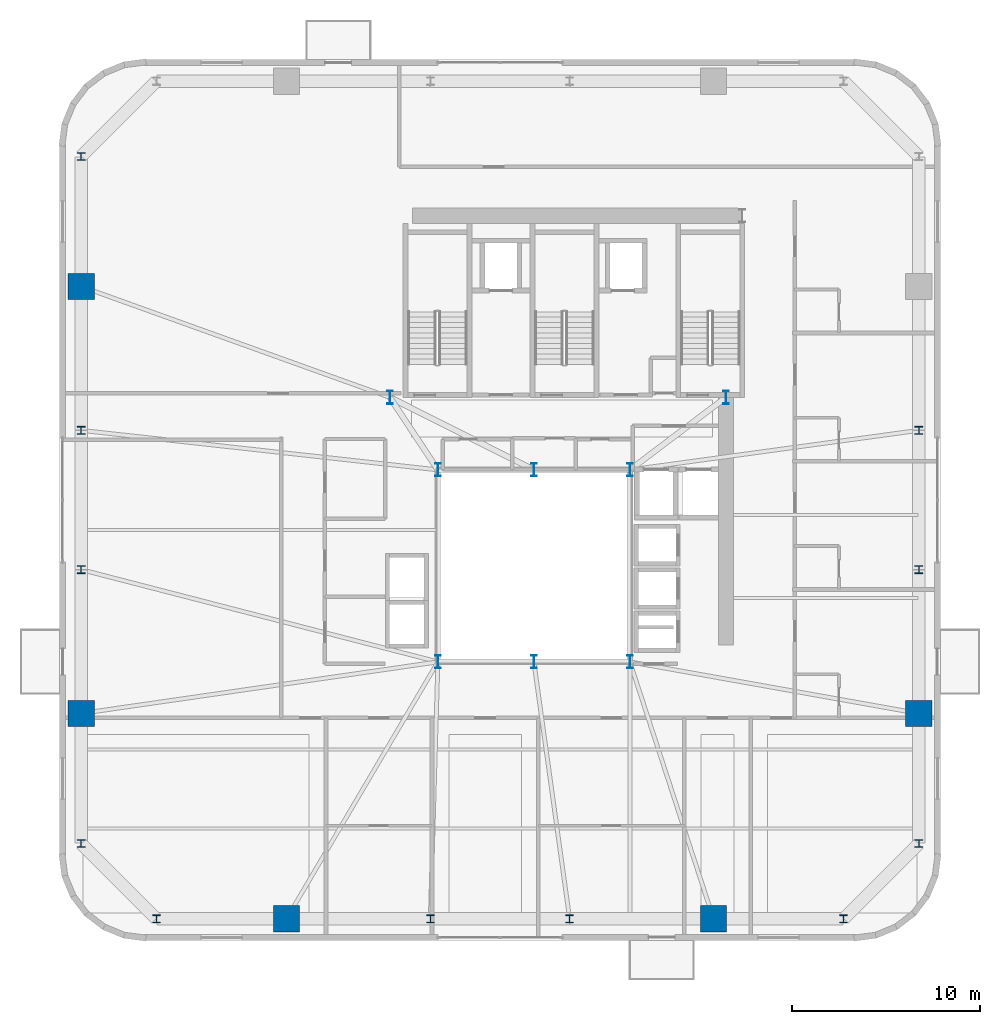
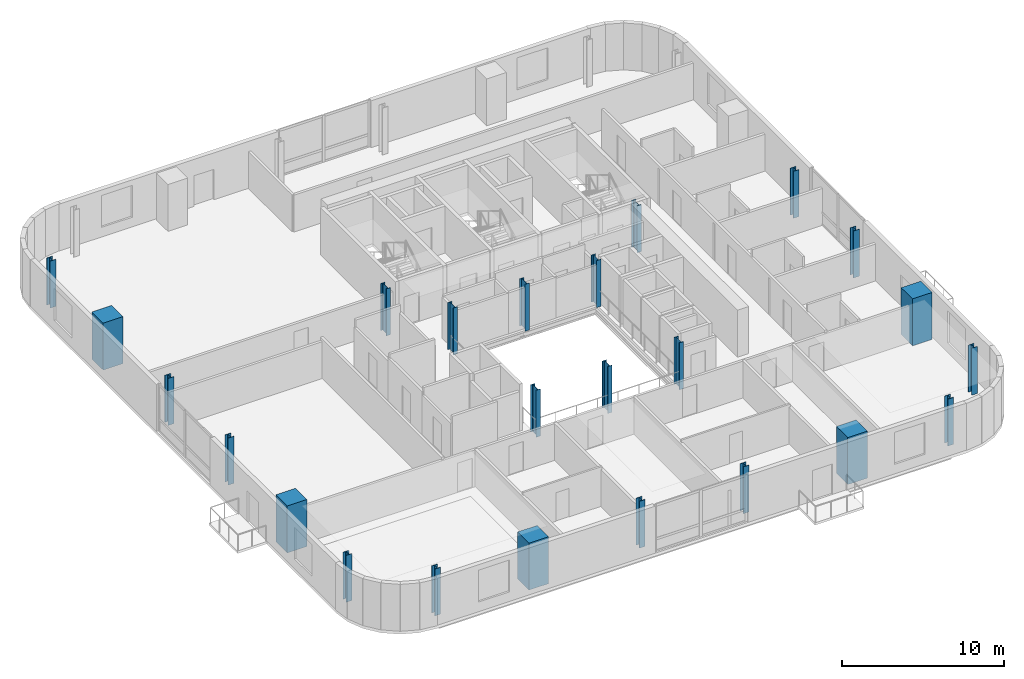
# One storey, part 1 of 15: 24 columns.
"""IFC4 building model written with IfcOpenShell, lengths in metres."""

from ifc_helpers import new_model, si_unit, direction, frame, origin, origin_2d, place, context, subcontext, project, spatial, rectangle, i_section, extrude, source, transform, mapped, material, material_profile, profile_set, type_object, element, save


model = new_model("IFC4")

# Units and contexts
model_context = context("Model", 3, precision=1e-05, world=origin(), true_north=direction((0.0, 1.0)))
body_context = subcontext(model_context, "Body", "Model", "MODEL_VIEW")
ifc_project = project(units=[si_unit("LENGTHUNIT", "METRE"), si_unit("AREAUNIT", "SQUARE_METRE"), si_unit("VOLUMEUNIT", "CUBIC_METRE"), si_unit("PLANEANGLEUNIT", "RADIAN"), si_unit("MASSUNIT", "GRAM", prefix="KILO")], contexts=[model_context])

# Site, building, storey
site_placement = place(None, origin())
site = spatial("IfcSite", under=ifc_project, at=site_placement, CompositionType="ELEMENT")
building_placement = place(site_placement, origin())
building = spatial("IfcBuilding", under=site, at=building_placement, Name="Vardaveli Station Tower", CompositionType="ELEMENT")
storey_placement = place(building_placement, frame((0.0, 0.0, 229.800048828125)))
storey = spatial("IfcBuildingStorey", under=building, at=storey_placement, Name="L59", CompositionType="ELEMENT", Elevation=229.800048828125)

# Columns
ifc_material_1 = material(Name="Structural steel S460M", Category="steel")
ifc_material_profile_1 = material_profile(ifc_material_1, i_section(OverallWidth=0.300048828125, OverallDepth=0.699951171875, WebThickness=0.01708984375, FlangeThickness=0.031982421875, FilletRadius=0.027099609375, at=origin_2d()), Name="HEB 700")
ifc_profile_set_1 = profile_set([ifc_material_profile_1], Name="Structural steel S460M")
column_type_1 = type_object("IfcColumnType", Name="COL-HEB700", PredefinedType="COLUMN", material=ifc_profile_set_1)
shared_shape_1 = source(origin(), body_context, "Body", "SweptSolid", [
    extrude(i_section(OverallWidth=0.300048828125, OverallDepth=0.699951171875, WebThickness=0.01708984375, FlangeThickness=0.031982421875, FilletRadius=0.027099609375, at=origin_2d()), origin(), (0.0, 0.0, 1.0), 3.530029296875),
])
for number, where, z_axis, x_axis, name in (
    (1, (31.199951171875, 16.60009765625, 0.0), (0.0, 0.0, 1.0), (1.0, 0.0, 0.0), "COL-L59-AC1"),
    (2, (36.300048828125, 16.60009765625, 0.0), (0.0, 0.0, 1.0), (1.0, 0.0, 0.0), "COL-L59-AC2"),
    (3, (41.39990234375, 16.60009765625, 0.0), (0.0, 0.0, 1.0), (1.0, 0.0, 0.0), "COL-L59-AC3"),
    (4, (41.39990234375, 26.800048828125, 0.0), (0.0, 0.0, 1.0), (1.0, 0.0, 0.0), "COL-L59-AC4"),
    (5, (36.300048828125, 26.800048828125, 0.0), (0.0, 0.0, 1.0), (1.0, 0.0, 0.0), "COL-L59-AC5"),
    (6, (31.199951171875, 26.800048828125, 0.0), (0.0, 0.0, 1.0), (1.0, 0.0, 0.0), "COL-L59-AC6"),
    (7, (28.64990234375, 30.64990234375, 0.0), (0.0, 0.0, 1.0), (1.0, 0.0, 0.0), "COL-L59-CC1"),
    (8, (46.5, 30.64990234375, 0.0), (0.0, 0.0, 1.0), (1.0, 0.0, 0.0), "COL-L59-CC2"),
):
    element("IfcColumn", number, at=place(storey_placement, frame(where, z_axis=z_axis, x_axis=x_axis)), inside=storey, type_object=column_type_1, Name=name, PredefinedType="COLUMN", context=body_context, shape_type="MappedRepresentation", body=[
        mapped(shared_shape_1, transform((0.0, 0.0, 0.0), scale=1.0)),
    ])
ifc_material_2 = material(Name="Concrete C50/60", Category="concrete")
ifc_material_profile_2 = material_profile(ifc_material_2, rectangle(XDim=1.39990234375, YDim=1.39990234375, at=origin_2d()), Name="MC 1400x1400")
ifc_profile_set_2 = profile_set([ifc_material_profile_2], Name="Concrete C50/60")
column_type_2 = type_object("IfcColumnType", Name="COL-MC-1400", PredefinedType="COLUMN", material=ifc_profile_set_2)
shared_shape_2 = source(origin(), body_context, "Body", "SweptSolid", [
    extrude(rectangle(XDim=1.39990234375, YDim=1.39990234375, at=origin_2d()), origin(), (0.0, 0.0, 1.0), 3.530029296875),
])
for number, where, z_axis, x_axis, name in (
    (9, (23.159912109375, 2.949951171875, 0.0), (0.0, 0.0, 1.0), (1.0, 0.0, 0.0), "COL-L59-MC1"),
    (10, (45.840087890625, 2.949951171875, 0.0), (0.0, 0.0, 1.0), (1.0, 0.0, 0.0), "COL-L59-MC2"),
    (11, (56.75, 13.860107421875, 0.0), (0.0, 0.0, 1.0), (1.0, 0.0, 0.0), "COL-L59-MC3"),
    (12, (12.25, 36.5400390625, 0.0), (0.0, 0.0, 1.0), (1.0, 0.0, 0.0), "COL-L59-MC7"),
    (13, (12.25, 13.860107421875, 0.0), (0.0, 0.0, 1.0), (1.0, 0.0, 0.0), "COL-L59-MC8"),
):
    element("IfcColumn", number, at=place(storey_placement, frame(where, z_axis=z_axis, x_axis=x_axis)), inside=storey, type_object=column_type_2, Name=name, PredefinedType="COLUMN", context=body_context, shape_type="MappedRepresentation", body=[
        mapped(shared_shape_2, transform((0.0, 0.0, 0.0), scale=1.0)),
    ])
ifc_material_profile_3 = material_profile(ifc_material_1, i_section(OverallWidth=0.408935546875, OverallDepth=0.4169921875, WebThickness=0.021240234375, FlangeThickness=0.033203125, FilletRadius=0.014892578125, at=origin_2d()), Name="HD 400x347")
ifc_profile_set_3 = profile_set([ifc_material_profile_3], Name="Structural steel S460M")
column_type_3 = type_object("IfcColumnType", Name="COL-HD347", PredefinedType="COLUMN", material=ifc_profile_set_3)
shared_shape_3 = source(origin(), body_context, "Body", "SweptSolid", [
    extrude(i_section(OverallWidth=0.408935546875, OverallDepth=0.4169921875, WebThickness=0.021240234375, FlangeThickness=0.033203125, FilletRadius=0.014892578125, at=origin_2d()), origin(), (0.0, 0.0, 1.0), 3.530029296875),
])
for number, where, z_axis, x_axis, name in (
    (14, (16.25, 2.949951171875, 0.0), (0.0, 0.0, 1.0), (1.0, 0.0, 0.0), "COL-L59-PC01"),
    (15, (30.800048828125, 2.949951171875, 0.0), (0.0, 0.0, 1.0), (1.0, 0.0, 0.0), "COL-L59-PC02"),
    (16, (38.199951171875, 2.949951171875, 0.0), (0.0, 0.0, 1.0), (1.0, 0.0, 0.0), "COL-L59-PC03"),
    (17, (52.75, 2.949951171875, 0.0), (0.0, 0.0, 1.0), (1.0, 0.0, 0.0), "COL-L59-PC04"),
    (18, (56.75, 6.949951171875, 0.0), (0.0, 0.0, 1.0), (1.0, 0.0, 0.0), "COL-L59-PC05"),
    (19, (56.75, 21.5, 0.0), (0.0, 0.0, 1.0), (1.0, 0.0, 0.0), "COL-L59-PC06"),
    (20, (56.75, 28.89990234375, 0.0), (0.0, 0.0, 1.0), (1.0, 0.0, 0.0), "COL-L59-PC07"),
    (21, (12.25, 43.449951171875, 0.0), (0.0, 0.0, 1.0), (1.0, 0.0, 0.0), "COL-L59-PC13"),
    (22, (12.25, 28.89990234375, 0.0), (0.0, 0.0, 1.0), (1.0, 0.0, 0.0), "COL-L59-PC14"),
    (23, (12.25, 21.5, 0.0), (0.0, 0.0, 1.0), (1.0, 0.0, 0.0), "COL-L59-PC15"),
    (24, (12.25, 6.949951171875, 0.0), (0.0, 0.0, 1.0), (1.0, 0.0, 0.0), "COL-L59-PC16"),
):
    element("IfcColumn", number, at=place(storey_placement, frame(where, z_axis=z_axis, x_axis=x_axis)), inside=storey, type_object=column_type_3, Name=name, PredefinedType="COLUMN", context=body_context, shape_type="MappedRepresentation", body=[
        mapped(shared_shape_3, transform((0.0, 0.0, 0.0), scale=1.0)),
    ])

save(model, "model.ifc")
